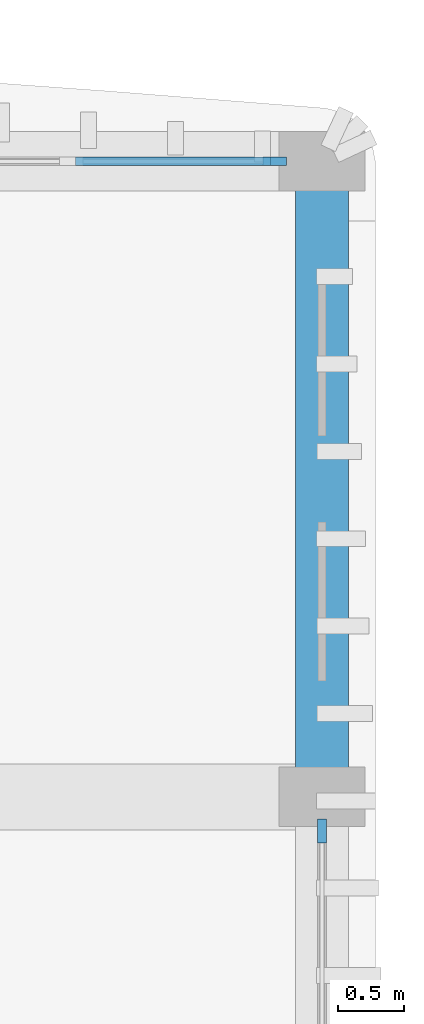
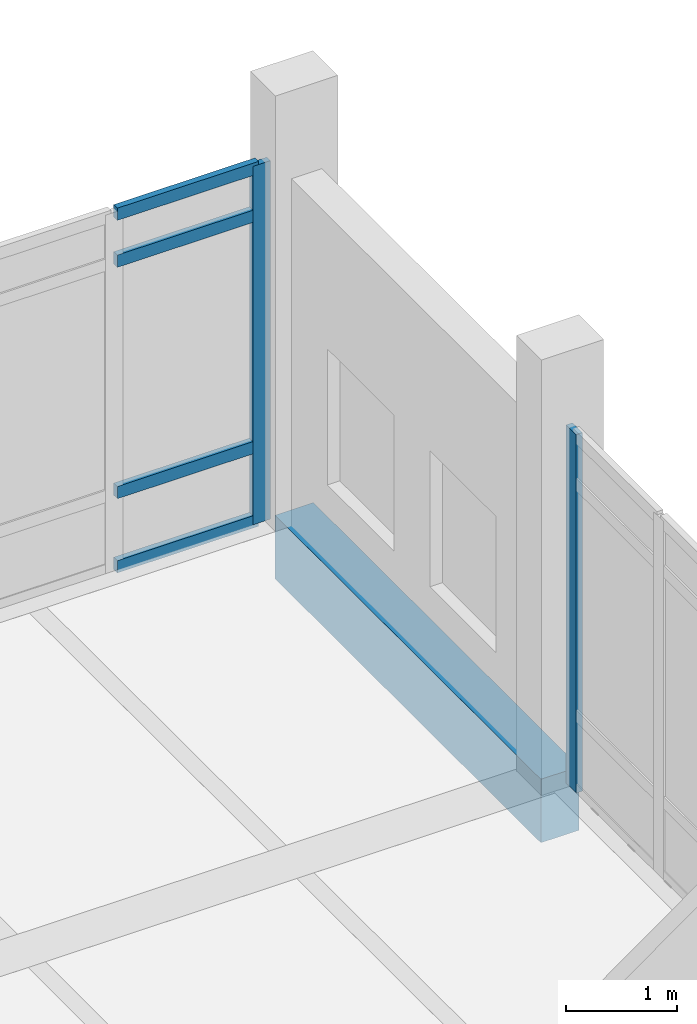
# One storey, part 7 of 39: 6 members, 1 beam, 2 elements without a shape of their own.
"""IFC4 building model written with IfcOpenShell, lengths in metres."""

from ifc_helpers import new_model, si_unit, direction, frame, origin, origin_2d, place, context, subcontext, project, spatial, rectangle, extrude, material, material_profile, profile_set, type_object, element, aggregate, save


model = new_model("IFC4")

# Units and contexts
model_context = context("Model", 3, precision=1e-05, world=origin(), true_north=direction((0.0, 1.0)))
body_context = subcontext(model_context, "Body", "Model", "MODEL_VIEW")
ifc_project = project(units=[si_unit("LENGTHUNIT", "METRE"), si_unit("AREAUNIT", "SQUARE_METRE"), si_unit("VOLUMEUNIT", "CUBIC_METRE"), si_unit("PLANEANGLEUNIT", "RADIAN"), si_unit("MASSUNIT", "GRAM", prefix="KILO")], contexts=[model_context])

# Site, building, storey
site_placement = place(None, origin())
site = spatial("IfcSite", under=ifc_project, at=site_placement, CompositionType="ELEMENT")
building_placement = place(site_placement, origin())
building = spatial("IfcBuilding", under=site, at=building_placement, Name="Dornvale Research Institute", CompositionType="ELEMENT")
storey_placement = place(building_placement, frame((0.0, 0.0, 24.60009765625)))
storey = spatial("IfcBuildingStorey", under=building, at=storey_placement, Name="L05", CompositionType="ELEMENT", Elevation=24.60009765625)

# Curtain wall, member
ifc_material_1 = material(Name="Low-E Argon Double Insulating Glazing Unit", Category="glass")
curtain_wall_type_1 = type_object("IfcCurtainWallType", Name="UnitisedCurtainWall_V5_7850x3950", PredefinedType="USERDEFINED", material=ifc_material_1)
curtain_wall_1_placement = place(storey_placement, origin())
curtain_wall_1 = element("IfcCurtainWall", 1, at=curtain_wall_1_placement, inside=storey, type_object=curtain_wall_type_1, Name="L05 V5 unitised curtain wall CW-31 #167", ObjectType="UNITISED CURTAIN WALL", PredefinedType="USERDEFINED")
ifc_material_2 = material(Name="Anodized Aluminum AA 6063-T6 Thermally Broken Frame", Category="aluminium")
ifc_material_profile_1 = material_profile(ifc_material_2, rectangle(XDim=0.06494140625, YDim=0.179931640625, at=origin_2d()), Name="ALU MULLION 65x180")
ifc_profile_set_1 = profile_set([ifc_material_profile_1], Name="Anodized Aluminum AA 6063-T6 Thermally Broken Frame")
member_type_1 = type_object("IfcMemberType", Name="Mullion_CW_65x180", PredefinedType="MULLION", material=ifc_profile_set_1)
member_1_placement = place(storey_placement, frame((41.04248046875, 122.10009765625, 0.0), z_axis=(0.0, 0.0, 1.0), x_axis=(0.0, 1.0, 0.0)))
member_1 = element("IfcMember", 2, at=member_1_placement, type_object=member_type_1, Name="CW-31 mullion 6", PredefinedType="MULLION", context=body_context, shape_type="SweptSolid", body=[
    extrude(rectangle(XDim=0.06494140625, YDim=0.179931640625, at=origin_2d()), origin(), (0.0, 0.0, 1.0), 3.949951171875),
])

ifc_material_3 = material(Name="Low-E Argon Double Insulating Glazing Unit", Category="glass")
curtain_wall_type_2 = type_object("IfcCurtainWallType", Name="UnitisedCurtainWall_V5_6450x3950", PredefinedType="USERDEFINED", material=ifc_material_3)
curtain_wall_2_placement = place(storey_placement, origin())
curtain_wall_2 = element("IfcCurtainWall", 3, at=curtain_wall_2_placement, inside=storey, type_object=curtain_wall_type_2, Name="L05 V5 unitised curtain wall CW-32 #168", ObjectType="UNITISED CURTAIN WALL", PredefinedType="USERDEFINED")
member_2_placement = place(storey_placement, frame((41.39990234375, 117.04248046875, 0.0), z_axis=(0.0, 0.0, 1.0), x_axis=(1.0, 0.0, 0.0)))
member_2 = element("IfcMember", 4, at=member_2_placement, type_object=member_type_1, Name="CW-32 mullion 1", PredefinedType="MULLION", context=body_context, shape_type="SweptSolid", body=[
    extrude(rectangle(XDim=0.06494140625, YDim=0.179931640625, at=origin_2d()), origin(), (0.0, 0.0, 1.0), 3.949951171875),
])
aggregate(curtain_wall_2, [member_2])

# Beam
ifc_material_4 = material(Name="Concrete f'c 45 MPa (C35/45)", Category="concrete")
ifc_material_profile_2 = material_profile(ifc_material_4, rectangle(XDim=0.39990234375, YDim=0.699951171875, at=origin_2d()), Name="RC 400x700")
ifc_profile_set_2 = profile_set([ifc_material_profile_2], Name="Concrete f'c 45 MPa (C35/45)")
beam_type = type_object("IfcBeamType", Name="Spandrel_RC400x700_Ext", PredefinedType="SPANDREL", material=ifc_profile_set_2)
beam_placement = place(storey_placement, frame((41.39990234375, 117.300048828125, -0.35009765625), z_axis=(0.0, 1.0, 0.0), x_axis=(-1.0, 0.0, 0.0)))
element("IfcBeam", 5, at=beam_placement, inside=storey, type_object=beam_type, Name="L05 perimeter spandrel #1380", PredefinedType="SPANDREL", context=body_context, shape_type="SweptSolid", body=[
    extrude(rectangle(XDim=0.39990234375, YDim=0.699951171875, at=origin_2d()), origin(), (0.0, 0.0, 1.0), 4.800048828125),
])

# Member
ifc_material_5 = material(Name="Anodized Aluminum AA 6063-T6 Thermally Broken Frame", Category="aluminium")
ifc_material_profile_3 = material_profile(ifc_material_5, rectangle(XDim=0.06494140625, YDim=0.135009765625, at=origin_2d()), Name="ALU TRANSOM 65x135")
ifc_profile_set_3 = profile_set([ifc_material_profile_3], Name="Anodized Aluminum AA 6063-T6 Thermally Broken Frame")
member_type_2 = type_object("IfcMemberType", Name="Transom_CW_65x135", PredefinedType="USERDEFINED", material=ifc_profile_set_3)
member_3_placement = place(storey_placement, frame((39.53759765625, 122.10009765625, 0.032470703125), z_axis=(1.0, 0.0, 0.0), x_axis=(0.0, 1.0, 0.0)))
member_3 = element("IfcMember", 6, at=member_3_placement, type_object=member_type_2, Name="CW-31 transom 5.1", ObjectType="TRANSOM", PredefinedType="USERDEFINED", context=body_context, shape_type="SweptSolid", body=[
    extrude(rectangle(XDim=0.06494140625, YDim=0.135009765625, at=origin_2d()), origin(), (0.0, 0.0, 1.0), 1.472412109375),
])

member_4_placement = place(storey_placement, frame((39.53759765625, 122.10009765625, 0.849853515625), z_axis=(1.0, 0.0, 0.0), x_axis=(0.0, 1.0, 0.0)))
member_4 = element("IfcMember", 7, at=member_4_placement, type_object=member_type_2, Name="CW-31 transom 5.2", ObjectType="TRANSOM", PredefinedType="USERDEFINED", context=body_context, shape_type="SweptSolid", body=[
    extrude(rectangle(XDim=0.06494140625, YDim=0.135009765625, at=origin_2d()), origin(), (0.0, 0.0, 1.0), 1.472412109375),
])

member_5_placement = place(storey_placement, frame((39.53759765625, 122.10009765625, 3.39990234375), z_axis=(1.0, 0.0, 0.0), x_axis=(0.0, 1.0, 0.0)))
member_5 = element("IfcMember", 8, at=member_5_placement, type_object=member_type_2, Name="CW-31 transom 5.3", ObjectType="TRANSOM", PredefinedType="USERDEFINED", context=body_context, shape_type="SweptSolid", body=[
    extrude(rectangle(XDim=0.06494140625, YDim=0.135009765625, at=origin_2d()), origin(), (0.0, 0.0, 1.0), 1.472412109375),
])

member_6_placement = place(storey_placement, frame((39.53759765625, 122.10009765625, 3.91748046875), z_axis=(1.0, 0.0, 0.0), x_axis=(0.0, 1.0, 0.0)))
member_6 = element("IfcMember", 9, at=member_6_placement, type_object=member_type_2, Name="CW-31 transom 5.4", ObjectType="TRANSOM", PredefinedType="USERDEFINED", context=body_context, shape_type="SweptSolid", body=[
    extrude(rectangle(XDim=0.06494140625, YDim=0.135009765625, at=origin_2d()), origin(), (0.0, 0.0, 1.0), 1.472412109375),
])

aggregate(curtain_wall_1, [member_1, member_3, member_4, member_5, member_6])

save(model, "model.ifc")
